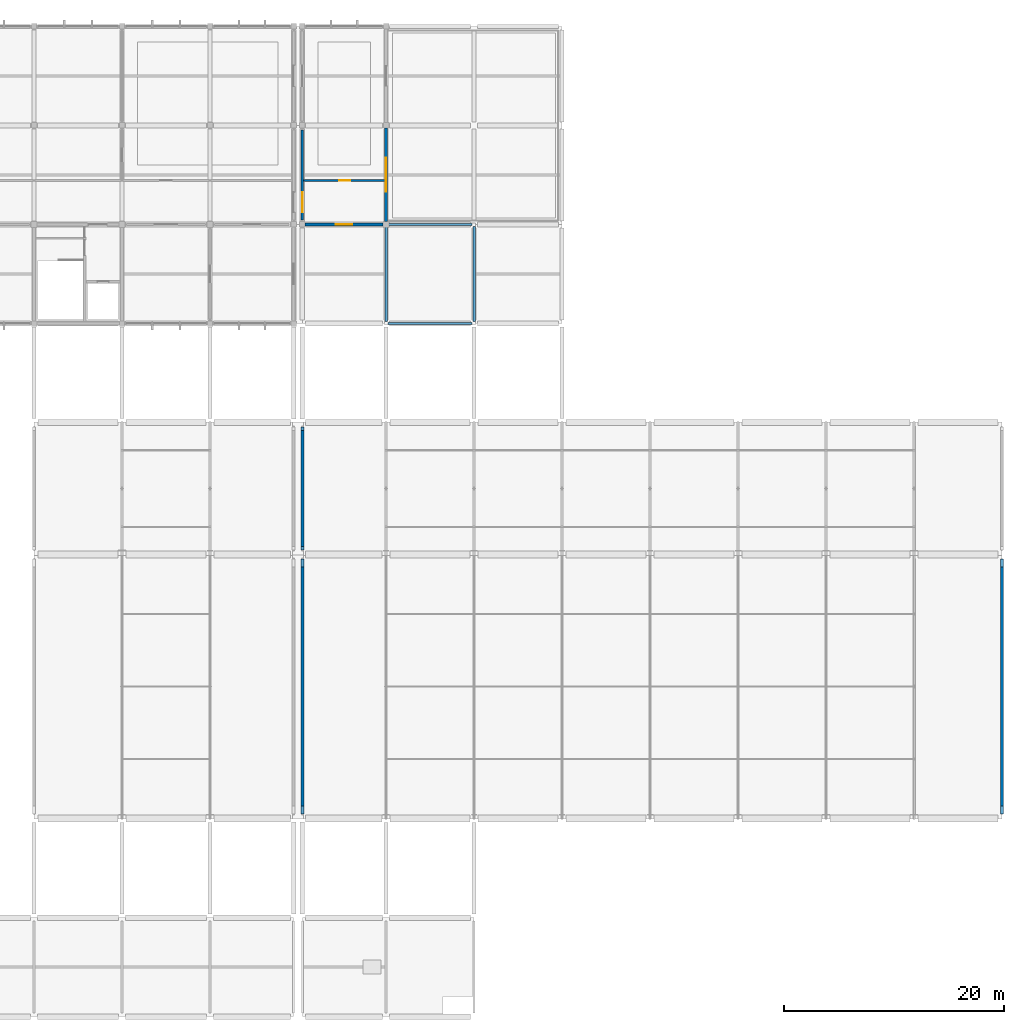
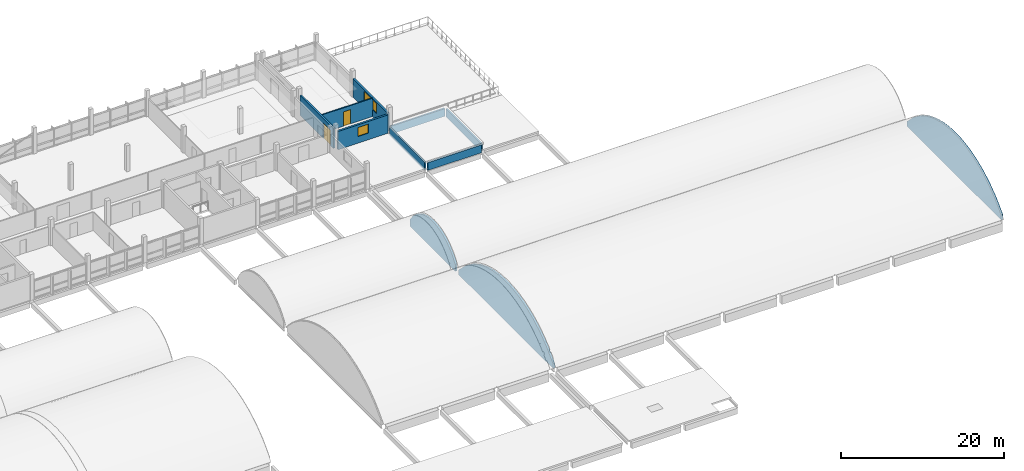
# One storey, part 53 of 57: 11 walls, 2 doors, 2 windows, 4 openings.
"""IFC4 building model written with IfcOpenShell, lengths in metres."""

from ifc_helpers import new_model, si_unit, direction, frame, frame_2d, origin, place, context, subcontext, project, spatial, polyline, rectangle, outline, extrude, material, layer, layer_set, type_object, element, fill, save


model = new_model("IFC4")

# Units and contexts
model_context = context("Model", 3, precision=1e-05, world=origin(), true_north=direction((0.0, 1.0)))
body_context = subcontext(model_context, "Body", "Model", "MODEL_VIEW")
ifc_project = project(units=[si_unit("LENGTHUNIT", "METRE"), si_unit("AREAUNIT", "SQUARE_METRE"), si_unit("VOLUMEUNIT", "CUBIC_METRE"), si_unit("PLANEANGLEUNIT", "RADIAN"), si_unit("MASSUNIT", "GRAM", prefix="KILO"), si_unit("THERMODYNAMICTEMPERATUREUNIT", "KELVIN"), si_unit("POWERUNIT", "WATT")], contexts=[model_context])

# Site, building, storey
site_placement = place(None, origin())
site = spatial("IfcSite", under=ifc_project, at=site_placement, CompositionType="ELEMENT")
building_placement = place(site_placement, origin())
building = spatial("IfcBuilding", under=site, at=building_placement, Name="Kronsvod Quay Wholesale Market", CompositionType="ELEMENT")
storey_placement = place(building_placement, frame((0.0, 0.0, 13.199951171875)))
storey = spatial("IfcBuildingStorey", under=building, at=storey_placement, Name="L03", CompositionType="ELEMENT", Elevation=13.199951171875)

# Wall, opening, window
ifc_material_1 = material(Name="Precast concrete C40/50", Category="concrete")
ifc_layer_1 = layer(ifc_material_1, 0.280029296875)
ifc_layer_set_1 = layer_set([ifc_layer_1], Name="Precast concrete C40/50")
wall_type_1 = type_object("IfcWallType", Name="Wall_ExtPrecast280", PredefinedType="SOLIDWALL", material=ifc_layer_set_1)
wall_1_placement = place(storey_placement, frame((128.64501953125, 108.0, 0.0), z_axis=(0.0, 0.0, 1.0), x_axis=(1.0, 0.0, 0.0)))
wall_1 = element("IfcWall", 1, at=wall_1_placement, inside=storey, type_object=wall_type_1, Name="EW-X-L03-0210", PredefinedType="SOLIDWALL", context=body_context, shape_type="SweptSolid", body=[
    extrude(rectangle(XDim=7.0849609375, YDim=0.280029296875, at=frame_2d((3.54248046875, 0.0))), origin(), (0.0, 0.0, 1.0), 2.75),
])
opening_1_placement = place(wall_1_placement, frame((2.7919921875, 0.0, 1.0)))
opening_1 = element("IfcOpeningElement", 2, at=opening_1_placement, cuts=wall_1, Name="Opening WIN-21", PredefinedType="OPENING", context=body_context, shape_type="SweptSolid", body=[
    extrude(rectangle(XDim=1.5, YDim=1.35009765625, at=frame_2d((0.75, 0.675048828125))), frame((0.0, 0.14990234375, 0.0), z_axis=(0.0, -1.0, 0.0), x_axis=(1.0, 0.0, 0.0)), (0.0, 0.0, 1.0), 0.300048828125),
])
ifc_material_2 = material(Name="Thermally broken aluminium and triple low-E glazing", Category="aluminium")
window_type_1 = type_object("IfcWindowType", Name="Win_W21", PartitioningType="SINGLE_PANEL", PredefinedType="WINDOW", material=ifc_material_2)
window_1_placement = place(opening_1_placement, origin())
window_1 = element("IfcWindow", 3, at=window_1_placement, inside=storey, type_object=window_type_1, Name="WIN-L03-0021", OverallHeight=1.35009765625, OverallWidth=1.5, PartitioningType="SINGLE_PANEL", PredefinedType="WINDOW", context=body_context, shape_type="SweptSolid", body=[
    extrude(rectangle(XDim=1.5, YDim=1.35009765625, at=frame_2d((0.75, 0.675048828125))), frame((0.0, 0.030029296875, 0.0), z_axis=(0.0, -1.0, 0.0), x_axis=(1.0, 0.0, 0.0)), (0.0, 0.0, 1.0), 0.06005859375),
])
fill(opening_1, window_1)

wall_2_placement = place(storey_placement, frame((136.0, 108.27001953125, 0.0), z_axis=(0.0, 0.0, 1.0), x_axis=(0.0, 1.0, 0.0)))
wall_2 = element("IfcWall", 4, at=wall_2_placement, inside=storey, type_object=wall_type_1, Name="EW-Y-L03-0213", PredefinedType="SOLIDWALL", context=body_context, shape_type="SweptSolid", body=[
    extrude(rectangle(XDim=8.48486328125, YDim=0.280029296875, at=frame_2d((4.242431640625, 0.0))), origin(), (0.0, 0.0, 1.0), 2.75),
])
opening_2_placement = place(wall_2_placement, frame((2.69189453125, 0.0, 1.0)))
opening_2 = element("IfcOpeningElement", 5, at=opening_2_placement, cuts=wall_2, Name="Opening WIN-22", PredefinedType="OPENING", context=body_context, shape_type="SweptSolid", body=[
    extrude(rectangle(XDim=3.10009765625, YDim=1.550048828125, at=frame_2d((1.550048828125, 0.77490234375))), frame((0.0, 0.14990234375, 0.0), z_axis=(0.0, -1.0, 0.0), x_axis=(1.0, 0.0, 0.0)), (0.0, 0.0, 1.0), 0.300048828125),
])
ifc_material_3 = material(Name="Thermally broken aluminium and triple low-E glazing", Category="aluminium")
window_type_2 = type_object("IfcWindowType", Name="Win_W22", PartitioningType="TRIPLE_PANEL_HORIZONTAL", PredefinedType="WINDOW", material=ifc_material_3)
window_2_placement = place(opening_2_placement, origin())
window_2 = element("IfcWindow", 6, at=window_2_placement, inside=storey, type_object=window_type_2, Name="WIN-Y-L03-0022", OverallHeight=1.550048828125, OverallWidth=3.10009765625, PartitioningType="SINGLE_PANEL", PredefinedType="WINDOW", context=body_context, shape_type="SweptSolid", body=[
    extrude(rectangle(XDim=3.10009765625, YDim=1.550048828125, at=frame_2d((1.550048828125, 0.77490234375))), frame((0.0, 0.030029296875, 0.0), z_axis=(0.0, -1.0, 0.0), x_axis=(1.0, 0.0, 0.0)), (0.0, 0.0, 1.0), 0.06005859375),
])
fill(opening_2, window_2)

# Wall, opening, door
ifc_material_4 = material(Name="Precast concrete C40/50", Category="concrete")
ifc_layer_2 = layer(ifc_material_4, 0.239990234375)
ifc_layer_set_2 = layer_set([ifc_layer_2], Name="Precast concrete C40/50")
wall_type_2 = type_object("IfcWallType", Name="Wall_ExtSpandrel240", PredefinedType="SOLIDWALL", material=ifc_layer_set_2)
wall_3_placement = place(storey_placement, frame((128.39990234375, 108.419921875, 0.0), z_axis=(0.0, 0.0, 1.0), x_axis=(0.0, 1.0, 0.0)))
wall_3 = element("IfcWall", 7, at=wall_3_placement, inside=storey, type_object=wall_type_2, Name="MJWG-L03-1284-1080", PredefinedType="SOLIDWALL", context=body_context, shape_type="SweptSolid", body=[
    extrude(rectangle(XDim=8.16015625, YDim=0.239990234375, at=frame_2d((4.080078125, 0.0))), origin(), (0.0, 0.0, 1.0), 3.010009765625),
])
opening_3_placement = place(wall_3_placement, frame((0.699951171875, 0.0, 0.0)))
opening_3 = element("IfcOpeningElement", 8, at=opening_3_placement, cuts=wall_3, Name="Opening D-0396", PredefinedType="OPENING", context=body_context, shape_type="SweptSolid", body=[
    extrude(rectangle(XDim=1.800048828125, YDim=2.300048828125, at=frame_2d((0.89990234375, 1.14990234375))), frame((0.0, 0.1298828125, 0.0), z_axis=(0.0, -1.0, 0.0), x_axis=(1.0, 0.0, 0.0)), (0.0, 0.0, 1.0), 0.260009765625),
])
ifc_material_5 = material(Name="Painted galvanized fire steel", Category="steel")
door_type_1 = type_object("IfcDoorType", Name="Door_FireComp180x230", OperationType="DOUBLE_DOOR_SINGLE_SWING", PredefinedType="DOOR", material=ifc_material_5)
door_1_placement = place(opening_3_placement, origin())
door_1 = element("IfcDoor", 9, at=door_1_placement, inside=storey, type_object=door_type_1, Name="Fire Compartment Door D-0396", OperationType="DOUBLE_DOOR_SINGLE_SWING", OverallHeight=2.300048828125, OverallWidth=1.800048828125, PredefinedType="DOOR", context=body_context, shape_type="SweptSolid", body=[
    extrude(rectangle(XDim=1.800048828125, YDim=2.300048828125, at=frame_2d((0.89990234375, 1.14990234375))), frame((0.0, 0.02490234375, 0.0), z_axis=(0.0, -1.0, 0.0), x_axis=(1.0, 0.0, 0.0)), (0.0, 0.0, 1.0), 0.050048828125),
])
fill(opening_3, door_1)

# Walls
ifc_material_6 = material(Name="Precast concrete C40/50", Category="concrete")
ifc_layer_3 = layer(ifc_material_6, 0.260009765625)
ifc_layer_set_3 = layer_set([ifc_layer_3], Name="Precast concrete C40/50")
wall_type_3 = type_object("IfcWallType", Name="Wall_ExtTympanum260", PredefinedType="SOLIDWALL", material=ifc_layer_set_3)
for number, where, z_axis, x_axis, name in (
    (10, (128.39990234375, 54.419921875, -0.25), (0.0, 0.0, 1.0), (0.0, 1.0, 0.0), "TYMP-13"),
    (11, (192.0, 54.419921875, -0.25), (0.0, 0.0, 1.0), (0.0, 1.0, 0.0), "TYMP-14"),
):
    element("IfcWall", number, at=place(storey_placement, frame(where, z_axis=z_axis, x_axis=x_axis)), inside=storey, type_object=wall_type_3, Name=name, PredefinedType="SOLIDWALL", context=body_context, shape_type="SweptSolid", body=[
        extrude(outline(polyline([(0.0, 0.0), (23.16015625, 0.0), (23.159912109375, 0.737060546875), (21.505615234375, 2.3779296875), (19.851318359375, 3.60400390625), (18.197021484375, 4.526611328125), (16.54296875, 5.20361328125), (14.888671875, 5.66845703125), (13.234375, 5.9404296875), (11.580078125, 6.030029296875), (9.92578125, 5.9404296875), (8.271484375, 5.66845703125), (6.6171875, 5.20361328125), (4.962890625, 4.526611328125), (3.30859375, 3.60400390625), (1.654296875, 2.3779296875), (0.0, 0.737060546875), (0.0, 0.0)])), frame((0.0, 0.1298828125, 0.0), z_axis=(0.0, -1.0, 0.0), x_axis=(1.0, 0.0, 0.0)), (0.0, 0.0, 1.0), 0.260009765625),
    ])
wall_4_placement = place(storey_placement, frame((128.39990234375, 78.419921875, -0.25), z_axis=(0.0, 0.0, 1.0), x_axis=(0.0, 1.0, 0.0)))
element("IfcWall", 12, at=wall_4_placement, inside=storey, type_object=wall_type_3, Name="TYMP-15", PredefinedType="SOLIDWALL", context=body_context, shape_type="SweptSolid", body=[
    extrude(outline(polyline([(0.0, 0.0), (11.16015625, 0.0), (11.159912109375, 1.024169921875), (10.36279296875, 2.062255859375), (9.565673828125, 2.78173828125), (8.7685546875, 3.3037109375), (7.971435546875, 3.678955078125), (7.17431640625, 3.93359375), (6.377197265625, 4.08154296875), (5.580078125, 4.130126953125), (4.782958984375, 4.08154296875), (3.985595703125, 3.93359375), (3.188720703125, 3.678955078125), (2.391357421875, 3.3037109375), (1.59423828125, 2.78173828125), (0.797119140625, 2.062255859375), (0.0, 1.024169921875), (0.0, 0.0)])), frame((0.0, 0.1298828125, 0.0), z_axis=(0.0, -1.0, 0.0), x_axis=(1.0, 0.0, 0.0)), (0.0, 0.0, 1.0), 0.260009765625),
])
ifc_material_7 = material(Name="Concrete C35/45", Category="concrete")
ifc_layer_4 = layer(ifc_material_7, 0.22509765625)
ifc_layer_set_4 = layer_set([ifc_layer_4], Name="Concrete C35/45")
wall_type_4 = type_object("IfcWallType", Name="Wall_OverrunWall225", PredefinedType="SHEAR", material=ifc_layer_set_4)
for number, where, z_axis, x_axis, name in (
    (13, (136.199951171875, 99.0, -0.300048828125), (0.0, 0.0, 1.0), (1.0, 0.0, 0.0), "OW-C10-S"),
    (14, (136.199951171875, 108.0, -0.300048828125), (0.0, 0.0, 1.0), (1.0, 0.0, 0.0), "OW-C10-N"),
):
    element("IfcWall", number, at=place(storey_placement, frame(where, z_axis=z_axis, x_axis=x_axis)), inside=storey, type_object=wall_type_4, Name=name, PredefinedType="SHEAR", context=body_context, shape_type="SweptSolid", body=[
        extrude(rectangle(XDim=7.60009765625, YDim=0.22509765625, at=frame_2d((3.800048828125, 0.0))), origin(), (0.0, 0.0, 1.0), 1.1650390625),
    ])
for number, where, z_axis, x_axis, name in (
    (15, (136.0, 99.199951171875, -0.300048828125), (0.0, 0.0, 1.0), (0.0, 1.0, 0.0), "OW-C10-W"),
    (16, (144.0, 99.199951171875, -0.300048828125), (0.0, 0.0, 1.0), (0.0, 1.0, 0.0), "OW-C10-E"),
):
    element("IfcWall", number, at=place(storey_placement, frame(where, z_axis=z_axis, x_axis=x_axis)), inside=storey, type_object=wall_type_4, Name=name, PredefinedType="SHEAR", context=body_context, shape_type="SweptSolid", body=[
        extrude(rectangle(XDim=8.60009765625, YDim=0.22509765625, at=frame_2d((4.300048828125, 0.0))), origin(), (0.0, 0.0, 1.0), 1.1650390625),
    ])

# Wall, opening, door
ifc_material_8 = material(Name="Fire-rated corridor gypsum partition")
ifc_layer_5 = layer(ifc_material_8, 0.159912109375)
ifc_layer_set_5 = layer_set([ifc_layer_5], Name="Fire-rated corridor gypsum partition")
wall_type_5 = type_object("IfcWallType", Name="Wall_PartCorridor160", PredefinedType="PARTITIONING", material=ifc_layer_set_5)
wall_5_placement = place(storey_placement, frame((128.5400390625, 112.0, 0.0), z_axis=(0.0, 0.0, 1.0), x_axis=(1.0, 0.0, 0.0)))
wall_5 = element("IfcWall", 17, at=wall_5_placement, inside=storey, type_object=wall_type_5, Name="PW-L03-0026", PredefinedType="PARTITIONING", context=body_context, shape_type="SweptSolid", body=[
    extrude(rectangle(XDim=7.39990234375, YDim=0.159912109375, at=frame_2d((3.699951171875, 0.0))), origin(), (0.0, 0.0, 1.0), 2.75),
])
opening_4_placement = place(wall_5_placement, frame((3.18994140625, 0.0, 0.0)))
opening_4 = element("IfcOpeningElement", 18, at=opening_4_placement, cuts=wall_5, Name="Opening D-0313", PredefinedType="OPENING", context=body_context, shape_type="SweptSolid", body=[
    extrude(rectangle(XDim=1.02001953125, YDim=2.139892578125, at=frame_2d((0.510009765625, 1.06982421875))), frame((0.0, 0.08984375, 0.0), z_axis=(0.0, -1.0, 0.0), x_axis=(1.0, 0.0, 0.0)), (0.0, 0.0, 1.0), 0.179931640625),
])
ifc_material_9 = material(Name="Solid-core timber office door", Category="wood")
door_type_2 = type_object("IfcDoorType", Name="Door_Office102x214", OperationType="NOTDEFINED", PredefinedType="DOOR", material=ifc_material_9)
door_2_placement = place(opening_4_placement, origin())
door_2 = element("IfcDoor", 19, at=door_2_placement, inside=storey, type_object=door_type_2, Name="Interior Door D-0313", OperationType="SINGLE_SWING_LEFT", OverallHeight=2.139892578125, OverallWidth=1.02001953125, PredefinedType="DOOR", context=body_context, shape_type="SweptSolid", body=[
    extrude(rectangle(XDim=1.02001953125, YDim=2.139892578125, at=frame_2d((0.510009765625, 1.06982421875))), frame((0.0, 0.02490234375, 0.0), z_axis=(0.0, -1.0, 0.0), x_axis=(1.0, 0.0, 0.0)), (0.0, 0.0, 1.0), 0.050048828125),
])
fill(opening_4, door_2)

save(model, "model.ifc")
